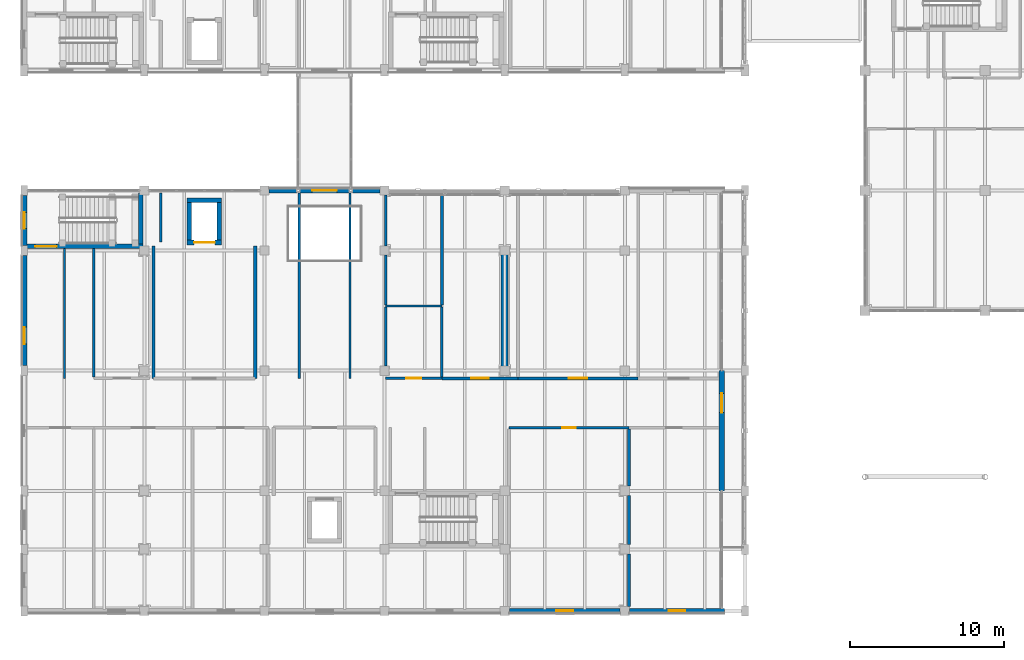
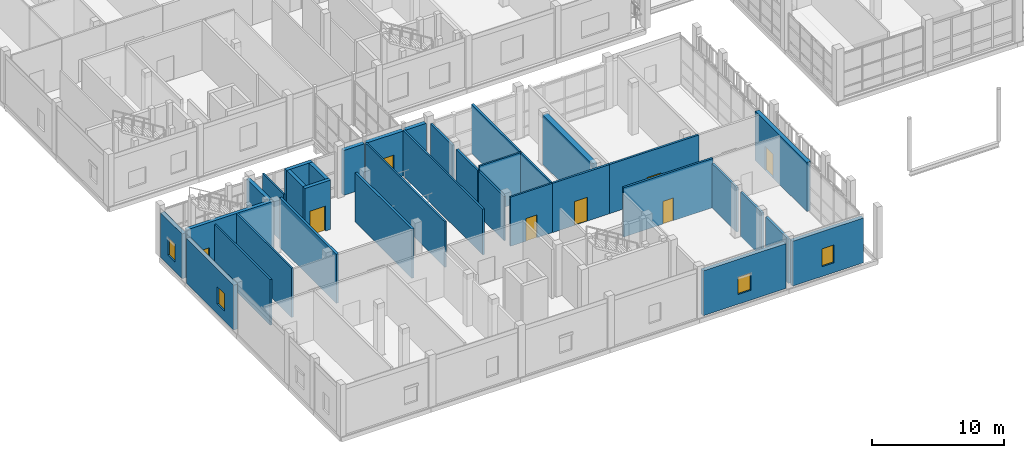
# One storey, part 101 of 138: 35 walls, 8 doors, 4 windows, 12 openings.
"""IFC4 building model written with IfcOpenShell, lengths in metres."""

from ifc_helpers import new_model, si_unit, direction, frame, frame_2d, origin, place, context, subcontext, project, spatial, rectangle, extrude, material, layer, layer_set, type_object, element, fill, save


model = new_model("IFC4")

# Units and contexts
model_context = context("Model", 3, precision=1e-05, world=origin(), true_north=direction((0.0, 1.0)))
body_context = subcontext(model_context, "Body", "Model", "MODEL_VIEW")
ifc_project = project(units=[si_unit("LENGTHUNIT", "METRE"), si_unit("AREAUNIT", "SQUARE_METRE"), si_unit("VOLUMEUNIT", "CUBIC_METRE"), si_unit("PLANEANGLEUNIT", "RADIAN"), si_unit("MASSUNIT", "GRAM", prefix="KILO")], contexts=[model_context])

# Site, building, storey
site_placement = place(None, origin())
site = spatial("IfcSite", under=ifc_project, at=site_placement, CompositionType="ELEMENT")
building_placement = place(site_placement, origin())
building = spatial("IfcBuilding", under=site, at=building_placement, Name="Celorna Specialist Clinic", CompositionType="ELEMENT")
storey_placement = place(building_placement, frame((0.0, 0.0, 4.800048828125)))
storey = spatial("IfcBuildingStorey", under=building, at=storey_placement, Name="L01", CompositionType="ELEMENT", Elevation=4.800048828125)

# Wall
ifc_material_1 = material(Name="Concrete C40/50", Category="concrete")
ifc_layer_1 = layer(ifc_material_1, 0.449951171875, Name="Concrete C40/50")
ifc_layer_set_1 = layer_set([ifc_layer_1], Name="Concrete C40/50")
wall_type_1 = type_object("IfcWallType", Name="WT-04", PredefinedType="SHEAR", material=ifc_layer_set_1)
wall_1_placement = place(storey_placement, frame((31.199951171875, 15.75, 0.0), z_axis=(0.0, 0.0, 1.0), x_axis=(0.0, 1.0, 0.0)))
element("IfcWall", 1, at=wall_1_placement, inside=storey, type_object=wall_type_1, Name="Structural RC shear wall WT-04 V5 L01", PredefinedType="SHEAR", context=body_context, shape_type="SweptSolid", body=[
    extrude(rectangle(XDim=7.5, YDim=0.449951171875, at=frame_2d((3.75, 0.0))), origin(), (0.0, 0.0, 1.0), 4.5400390625),
])

# Wall, opening, window
ifc_material_2 = material(Name="Pero Pinheiro Lioz limestone insulated masonry", Category="masonry")
ifc_layer_2 = layer(ifc_material_2, 0.340087890625, Name="Pero Pinheiro Lioz limestone insulated masonry")
ifc_layer_set_2 = layer_set([ifc_layer_2], Name="Pero Pinheiro Lioz limestone insulated masonry")
wall_type_2 = type_object("IfcWallType", Name="WT-07", PredefinedType="STANDARD", material=ifc_layer_set_2)
wall_2_placement = place(storey_placement, frame((38.699951171875, 0.0, 0.0), z_axis=(0.0, 0.0, 1.0), x_axis=(-1.0, 0.0, 0.0)))
wall_2 = element("IfcWall", 2, at=wall_2_placement, inside=storey, type_object=wall_type_2, Name="External facade wall WT-07 #324", PredefinedType="STANDARD", context=body_context, shape_type="SweptSolid", body=[
    extrude(rectangle(XDim=7.199951171875, YDim=0.340087890625, at=frame_2d((3.60009765625, 0.0))), origin(), (0.0, 0.0, 1.0), 4.139892578125),
])
opening_1_placement = place(wall_2_placement, frame((3.050048828125, 0.0, 0.89990234375)))
opening_1 = element("IfcOpeningElement", 3, at=opening_1_placement, cuts=wall_2, Name="Opening WN-03", PredefinedType="OPENING", context=body_context, shape_type="SweptSolid", body=[
    extrude(rectangle(XDim=1.10009765625, YDim=1.60009765625, at=frame_2d((0.550048828125, 0.800048828125))), frame((0.0, 0.179931640625, 0.0), z_axis=(0.0, -1.0, 0.0), x_axis=(1.0, 0.0, 0.0)), (0.0, 0.0, 1.0), 0.360107421875),
])
ifc_material_3 = material(Name="Thermally broken aluminium triple-glazed window", Category="aluminium")
window_type_1 = type_object("IfcWindowType", Name="WN-03", PartitioningType="SINGLE_PANEL", PredefinedType="WINDOW", material=ifc_material_3)
window_1_placement = place(opening_1_placement, origin())
window_1 = element("IfcWindow", 4, at=window_1_placement, inside=storey, type_object=window_type_1, Name="Facade window WN-03 #196", OverallHeight=1.60009765625, OverallWidth=1.10009765625, PartitioningType="SINGLE_PANEL", PredefinedType="WINDOW", context=body_context, shape_type="SweptSolid", body=[
    extrude(rectangle(XDim=1.10009765625, YDim=1.60009765625, at=frame_2d((0.550048828125, 0.800048828125))), frame((0.0, 0.030029296875, 0.0), z_axis=(0.0, -1.0, 0.0), x_axis=(1.0, 0.0, 0.0)), (0.0, 0.0, 1.0), 0.06005859375),
])
fill(opening_1, window_1)

wall_3_placement = place(storey_placement, frame((45.469970703125, 0.0, 0.0), z_axis=(0.0, 0.0, 1.0), x_axis=(-1.0, 0.0, 0.0)))
wall_3 = element("IfcWall", 5, at=wall_3_placement, inside=storey, type_object=wall_type_2, Name="External facade wall WT-07 #325", PredefinedType="STANDARD", context=body_context, shape_type="SweptSolid", body=[
    extrude(rectangle(XDim=6.169921875, YDim=0.340087890625, at=frame_2d((3.0849609375, 0.0))), origin(), (0.0, 0.0, 1.0), 4.139892578125),
])
opening_2_placement = place(wall_3_placement, frame((2.56005859375, 0.0, 0.89990234375)))
opening_2 = element("IfcOpeningElement", 6, at=opening_2_placement, cuts=wall_3, Name="Opening WN-21", PredefinedType="OPENING", context=body_context, shape_type="SweptSolid", body=[
    extrude(rectangle(XDim=1.050048828125, YDim=1.64990234375, at=frame_2d((0.52490234375, 0.824951171875))), frame((0.0, 0.179931640625, 0.0), z_axis=(0.0, -1.0, 0.0), x_axis=(1.0, 0.0, 0.0)), (0.0, 0.0, 1.0), 0.360107421875),
])
window_type_2 = type_object("IfcWindowType", Name="WN-21", PartitioningType="SINGLE_PANEL", PredefinedType="WINDOW", material=ifc_material_3)
window_2_placement = place(opening_2_placement, origin())
window_2 = element("IfcWindow", 7, at=window_2_placement, inside=storey, type_object=window_type_2, Name="Facade window WN-21 #197", OverallHeight=1.64990234375, OverallWidth=1.050048828125, PartitioningType="SINGLE_PANEL", PredefinedType="WINDOW", context=body_context, shape_type="SweptSolid", body=[
    extrude(rectangle(XDim=1.050048828125, YDim=1.64990234375, at=frame_2d((0.52490234375, 0.824951171875))), frame((0.0, 0.030029296875, 0.0), z_axis=(0.0, -1.0, 0.0), x_axis=(1.0, 0.0, 0.0)), (0.0, 0.0, 1.0), 0.06005859375),
])
fill(opening_2, window_2)

# Wall
wall_4_placement = place(storey_placement, frame((15.89990234375, 27.300048828125, 0.0), z_axis=(0.0, 0.0, 1.0), x_axis=(1.0, 0.0, 0.0)))
element("IfcWall", 8, at=wall_4_placement, inside=storey, type_object=wall_type_2, Name="External facade wall WT-07 #326", PredefinedType="STANDARD", context=body_context, shape_type="SweptSolid", body=[
    extrude(rectangle(XDim=1.800048828125, YDim=0.340087890625, at=frame_2d((0.89990234375, 0.0))), origin(), (0.0, 0.0, 1.0), 4.139892578125),
])

# Wall, opening, door
wall_5_placement = place(storey_placement, frame((17.89990234375, 27.300048828125, 0.0), z_axis=(0.0, 0.0, 1.0), x_axis=(1.0, 0.0, 0.0)))
wall_5 = element("IfcWall", 9, at=wall_5_placement, inside=storey, type_object=wall_type_2, Name="External facade wall WT-07 #327", PredefinedType="STANDARD", context=body_context, shape_type="SweptSolid", body=[
    extrude(rectangle(XDim=3.2001953125, YDim=0.340087890625, at=frame_2d((1.60009765625, 0.0))), origin(), (0.0, 0.0, 1.0), 4.139892578125),
])
opening_3_placement = place(wall_5_placement, frame((0.800048828125, 0.0, 0.0)))
opening_3 = element("IfcOpeningElement", 10, at=opening_3_placement, cuts=wall_5, Name="Opening DR-12", PredefinedType="OPENING", context=body_context, shape_type="SweptSolid", body=[
    extrude(rectangle(XDim=1.60009765625, YDim=2.199951171875, at=frame_2d((0.800048828125, 1.10009765625))), frame((0.0, 0.179931640625, 0.0), z_axis=(0.0, -1.0, 0.0), x_axis=(1.0, 0.0, 0.0)), (0.0, 0.0, 1.0), 0.360107421875),
])
ifc_material_4 = material(Name="Corridor cross-compartment pair door")
door_type_1 = type_object("IfcDoorType", Name="DR-12", OperationType="DOUBLE_DOOR_SINGLE_SWING", PredefinedType="DOOR", material=ifc_material_4)
door_1_placement = place(opening_3_placement, origin())
door_1 = element("IfcDoor", 11, at=door_1_placement, inside=storey, type_object=door_type_1, Name="Bridge BR-01 south/west portal door L01", OperationType="DOUBLE_DOOR_SINGLE_SWING", OverallHeight=2.199951171875, OverallWidth=1.60009765625, PredefinedType="DOOR", context=body_context, shape_type="SweptSolid", body=[
    extrude(rectangle(XDim=1.60009765625, YDim=2.199951171875, at=frame_2d((0.800048828125, 1.10009765625))), frame((0.0, 0.02490234375, 0.0), z_axis=(0.0, -1.0, 0.0), x_axis=(1.0, 0.0, 0.0)), (0.0, 0.0, 1.0), 0.050048828125),
])
fill(opening_3, door_1)

# Wall
wall_6_placement = place(storey_placement, frame((21.300048828125, 27.300048828125, 0.0), z_axis=(0.0, 0.0, 1.0), x_axis=(1.0, 0.0, 0.0)))
element("IfcWall", 12, at=wall_6_placement, inside=storey, type_object=wall_type_2, Name="External facade wall WT-07 #328", PredefinedType="STANDARD", context=body_context, shape_type="SweptSolid", body=[
    extrude(rectangle(XDim=1.800048828125, YDim=0.340087890625, at=frame_2d((0.89990234375, 0.0))), origin(), (0.0, 0.0, 1.0), 4.139892578125),
])

# Wall, opening, window
wall_7_placement = place(storey_placement, frame((0.0, 15.925048828125, 0.0), z_axis=(0.0, 0.0, 1.0), x_axis=(0.0, 1.0, 0.0)))
wall_7 = element("IfcWall", 13, at=wall_7_placement, inside=storey, type_object=wall_type_2, Name="External facade wall WT-07 #333", PredefinedType="STANDARD", context=body_context, shape_type="SweptSolid", body=[
    extrude(rectangle(XDim=7.14990234375, YDim=0.340087890625, at=frame_2d((3.574951171875, 0.0))), origin(), (0.0, 0.0, 1.0), 4.139892578125),
])
opening_4_placement = place(wall_7_placement, frame((1.3974609375, 0.0, 0.89990234375)))
opening_4 = element("IfcOpeningElement", 14, at=opening_4_placement, cuts=wall_7, Name="Opening WN-03", PredefinedType="OPENING", context=body_context, shape_type="SweptSolid", body=[
    extrude(rectangle(XDim=1.10009765625, YDim=1.60009765625, at=frame_2d((0.550048828125, 0.800048828125))), frame((0.0, 0.179931640625, 0.0), z_axis=(0.0, -1.0, 0.0), x_axis=(1.0, 0.0, 0.0)), (0.0, 0.0, 1.0), 0.360107421875),
])
window_3_placement = place(opening_4_placement, origin())
window_3 = element("IfcWindow", 15, at=window_3_placement, inside=storey, type_object=window_type_1, Name="Facade window WN-03 #201", OverallHeight=1.60009765625, OverallWidth=1.10009765625, PartitioningType="SINGLE_PANEL", PredefinedType="WINDOW", context=body_context, shape_type="SweptSolid", body=[
    extrude(rectangle(XDim=1.10009765625, YDim=1.60009765625, at=frame_2d((0.550048828125, 0.800048828125))), frame((0.0, 0.030029296875, 0.0), z_axis=(0.0, -1.0, 0.0), x_axis=(1.0, 0.0, 0.0)), (0.0, 0.0, 1.0), 0.06005859375),
])
fill(opening_4, window_3)

wall_8_placement = place(storey_placement, frame((0.0, 23.72509765625, 0.0), z_axis=(0.0, 0.0, 1.0), x_axis=(0.0, 1.0, 0.0)))
wall_8 = element("IfcWall", 16, at=wall_8_placement, inside=storey, type_object=wall_type_2, Name="External facade wall WT-07 #334", PredefinedType="STANDARD", context=body_context, shape_type="SweptSolid", body=[
    extrude(rectangle(XDim=3.25, YDim=0.340087890625, at=frame_2d((1.625, 0.0))), origin(), (0.0, 0.0, 1.0), 4.139892578125),
])
opening_5_placement = place(wall_8_placement, frame((1.10009765625, 0.0, 0.89990234375)))
opening_5 = element("IfcOpeningElement", 17, at=opening_5_placement, cuts=wall_8, Name="Opening WN-21", PredefinedType="OPENING", context=body_context, shape_type="SweptSolid", body=[
    extrude(rectangle(XDim=1.050048828125, YDim=1.64990234375, at=frame_2d((0.52490234375, 0.824951171875))), frame((0.0, 0.179931640625, 0.0), z_axis=(0.0, -1.0, 0.0), x_axis=(1.0, 0.0, 0.0)), (0.0, 0.0, 1.0), 0.360107421875),
])
window_4_placement = place(opening_5_placement, origin())
window_4 = element("IfcWindow", 18, at=window_4_placement, inside=storey, type_object=window_type_2, Name="Facade window WN-21 #202", OverallHeight=1.64990234375, OverallWidth=1.050048828125, PartitioningType="SINGLE_PANEL", PredefinedType="WINDOW", context=body_context, shape_type="SweptSolid", body=[
    extrude(rectangle(XDim=1.050048828125, YDim=1.64990234375, at=frame_2d((0.52490234375, 0.824951171875))), frame((0.0, 0.030029296875, 0.0), z_axis=(0.0, -1.0, 0.0), x_axis=(1.0, 0.0, 0.0)), (0.0, 0.0, 1.0), 0.06005859375),
])
fill(opening_5, window_4)

# Wall, opening, door
wall_9_placement = place(storey_placement, frame((45.300048828125, 15.60009765625, 0.0), z_axis=(0.0, 0.0, 1.0), x_axis=(0.0, -1.0, 0.0)))
wall_9 = element("IfcWall", 19, at=wall_9_placement, inside=storey, type_object=wall_type_2, Name="External facade wall WT-07 #335", PredefinedType="STANDARD", context=body_context, shape_type="SweptSolid", body=[
    extrude(rectangle(XDim=7.800048828125, YDim=0.340087890625, at=frame_2d((3.89990234375, 0.0))), origin(), (0.0, 0.0, 1.0), 4.5400390625),
])
opening_6_placement = place(wall_9_placement, frame((1.47509765625, 0.0, 0.0)))
opening_6 = element("IfcOpeningElement", 20, at=opening_6_placement, cuts=wall_9, Name="Opening DR-13", PredefinedType="OPENING", context=body_context, shape_type="SweptSolid", body=[
    extrude(rectangle(XDim=1.25, YDim=2.199951171875, at=frame_2d((0.625, 1.10009765625))), frame((0.0, 0.179931640625, 0.0), z_axis=(0.0, -1.0, 0.0), x_axis=(1.0, 0.0, 0.0)), (0.0, 0.0, 1.0), 0.360107421875),
])
ifc_material_5 = material(Name="Thermally broken glazed terrace door")
door_type_2 = type_object("IfcDoorType", Name="DR-13", OperationType="NOTDEFINED", PredefinedType="DOOR", material=ifc_material_5)
door_2_placement = place(opening_6_placement, frame((1.25, 0.0, 0.0), z_axis=(0.0, 0.0, 1.0), x_axis=(-1.0, 0.0, 0.0)))
door_2 = element("IfcDoor", 21, at=door_2_placement, inside=storey, type_object=door_type_2, Name="Terrace access door TER-V5-VER-L01", OperationType="SINGLE_SWING_RIGHT", OverallHeight=2.199951171875, OverallWidth=1.25, PredefinedType="DOOR", context=body_context, shape_type="SweptSolid", body=[
    extrude(rectangle(XDim=1.25, YDim=2.199951171875, at=frame_2d((0.625, 1.10009765625))), frame((0.0, 0.02490234375, 0.0), z_axis=(0.0, -1.0, 0.0), x_axis=(1.0, 0.0, 0.0)), (0.0, 0.0, 1.0), 0.050048828125),
])
fill(opening_6, door_2)

ifc_material_6 = material(Name="Concrete C35/45", Category="concrete")
ifc_layer_3 = layer(ifc_material_6, 0.300048828125, Name="Concrete C35/45")
ifc_layer_set_3 = layer_set([ifc_layer_3], Name="Concrete C35/45")
wall_type_3 = type_object("IfcWallType", Name="WT-08", PredefinedType="SHEAR", material=ifc_layer_set_3)
wall_10_placement = place(storey_placement, frame((0.14990234375, 23.669921875, 0.0), z_axis=(0.0, 0.0, 1.0), x_axis=(1.0, 0.0, 0.0)))
wall_10 = element("IfcWall", 22, at=wall_10_placement, inside=storey, type_object=wall_type_3, Name="Stair ST-04 RC core wall L01 south", PredefinedType="SHEAR", context=body_context, shape_type="SweptSolid", body=[
    extrude(rectangle(XDim=7.56005859375, YDim=0.300048828125, at=frame_2d((3.780029296875, 0.0))), origin(), (0.0, 0.0, 1.0), 4.5400390625),
])
opening_7_placement = place(wall_10_placement, frame((0.56005859375, 0.0, 0.0)))
opening_7 = element("IfcOpeningElement", 23, at=opening_7_placement, cuts=wall_10, Name="Opening DR-10", PredefinedType="OPENING", context=body_context, shape_type="SweptSolid", body=[
    extrude(rectangle(XDim=1.39990234375, YDim=2.199951171875, at=frame_2d((0.699951171875, 1.10009765625))), frame((0.0, 0.159912109375, 0.0), z_axis=(0.0, -1.0, 0.0), x_axis=(1.0, 0.0, 0.0)), (0.0, 0.0, 1.0), 0.320068359375),
])
ifc_material_7 = material(Name="Protected exit stair fire door")
door_type_3 = type_object("IfcDoorType", Name="DR-10", OperationType="NOTDEFINED", PredefinedType="DOOR", material=ifc_material_7)
door_3_placement = place(opening_7_placement, origin())
door_3 = element("IfcDoor", 24, at=door_3_placement, inside=storey, type_object=door_type_3, Name="Protected exit stair door ST-04 L01", OperationType="SINGLE_SWING_RIGHT", OverallHeight=2.199951171875, OverallWidth=1.39990234375, PredefinedType="DOOR", context=body_context, shape_type="SweptSolid", body=[
    extrude(rectangle(XDim=1.39990234375, YDim=2.199951171875, at=frame_2d((0.699951171875, 1.10009765625))), frame((0.0, 0.02490234375, 0.0), z_axis=(0.0, -1.0, 0.0), x_axis=(1.0, 0.0, 0.0)), (0.0, 0.0, 1.0), 0.050048828125),
])
fill(opening_7, door_3)

# Wall
wall_11_placement = place(storey_placement, frame((7.56005859375, 23.820068359375, 0.0), z_axis=(0.0, 0.0, 1.0), x_axis=(0.0, 1.0, 0.0)))
element("IfcWall", 25, at=wall_11_placement, inside=storey, type_object=wall_type_3, Name="Stair ST-04 RC core wall L01 east", PredefinedType="SHEAR", context=body_context, shape_type="SweptSolid", body=[
    extrude(rectangle(XDim=3.329833984375, YDim=0.300048828125, at=frame_2d((1.6650390625, 0.0))), origin(), (0.0, 0.0, 1.0), 4.5400390625),
])

# Wall, opening, door
wall_12_placement = place(storey_placement, frame((10.574951171875, 23.925048828125, 0.0), z_axis=(0.0, 0.0, 1.0), x_axis=(1.0, 0.0, 0.0)))
wall_12 = element("IfcWall", 26, at=wall_12_placement, inside=storey, type_object=wall_type_3, Name="Lift LF-04 RC shaft wall L01", PredefinedType="SHEAR", context=body_context, shape_type="SweptSolid", body=[
    extrude(rectangle(XDim=2.25, YDim=0.300048828125, at=frame_2d((1.125, 0.0))), origin(), (0.0, 0.0, 1.0), 4.5400390625),
])
opening_8_placement = place(wall_12_placement, frame((0.449951171875, 0.0, 0.0)))
opening_8 = element("IfcOpeningElement", 27, at=opening_8_placement, cuts=wall_12, Name="Opening LD-02", PredefinedType="OPENING", context=body_context, shape_type="SweptSolid", body=[
    extrude(rectangle(XDim=1.35009765625, YDim=2.300048828125, at=frame_2d((0.675048828125, 1.14990234375))), frame((0.0, 0.159912109375, 0.0), z_axis=(0.0, -1.0, 0.0), x_axis=(1.0, 0.0, 0.0)), (0.0, 0.0, 1.0), 0.320068359375),
])
ifc_material_8 = material(Name="Firefighting stretcher lift landing sliding door")
door_type_4 = type_object("IfcDoorType", Name="LD-02", OperationType="DOUBLE_DOOR_SLIDING", PredefinedType="DOOR", material=ifc_material_8)
door_4_placement = place(opening_8_placement, origin())
door_4 = element("IfcDoor", 28, at=door_4_placement, inside=storey, type_object=door_type_4, Name="Lift LF-04 sliding landing door L01", OperationType="DOUBLE_DOOR_SLIDING", OverallHeight=2.300048828125, OverallWidth=1.35009765625, PredefinedType="DOOR", context=body_context, shape_type="SweptSolid", body=[
    extrude(rectangle(XDim=1.35009765625, YDim=2.300048828125, at=frame_2d((0.675048828125, 1.14990234375))), frame((0.0, 0.02490234375, 0.0), z_axis=(0.0, -1.0, 0.0), x_axis=(1.0, 0.0, 0.0)), (0.0, 0.0, 1.0), 0.050048828125),
])
fill(opening_8, door_4)

# Walls
wall_13_placement = place(storey_placement, frame((12.824951171875, 26.675048828125, 0.0), z_axis=(0.0, 0.0, 1.0), x_axis=(-1.0, 0.0, 0.0)))
element("IfcWall", 29, at=wall_13_placement, inside=storey, type_object=wall_type_3, Name="Lift LF-04 RC shaft wall L01", PredefinedType="SHEAR", context=body_context, shape_type="SweptSolid", body=[
    extrude(rectangle(XDim=2.25, YDim=0.300048828125, at=frame_2d((1.125, 0.0))), origin(), (0.0, 0.0, 1.0), 4.5400390625),
])
for number, where, z_axis, x_axis, name in (
    (30, (10.72509765625, 26.52490234375, 0.0), (0.0, 0.0, 1.0), (0.0, -1.0, 0.0), "Lift LF-04 RC shaft wall L01"),
    (31, (12.675048828125, 24.074951171875, 0.0), (0.0, 0.0, 1.0), (0.0, 1.0, 0.0), "Lift LF-04 RC shaft wall L01"),
):
    element("IfcWall", number, at=place(storey_placement, frame(where, z_axis=z_axis, x_axis=x_axis)), inside=storey, type_object=wall_type_3, Name=name, PredefinedType="SHEAR", context=body_context, shape_type="SweptSolid", body=[
        extrude(rectangle(XDim=2.449951171875, YDim=0.300048828125, at=frame_2d((1.22509765625, 0.0))), origin(), (0.0, 0.0, 1.0), 4.5400390625),
    ])
ifc_layer_4 = layer(ifc_material_6, 0.199951171875, Name="Concrete C35/45")
ifc_layer_set_4 = layer_set([ifc_layer_4], Name="Concrete C35/45")
wall_type_4 = type_object("IfcWallType", Name="WT-12", PredefinedType="SOLIDWALL", material=ifc_layer_set_4)
for number, where, z_axis, x_axis, name in (
    (32, (8.39990234375, 23.699951171875, 0.0), (0.0, 0.0, 1.0), (0.0, -1.0, 0.0), "Firefighting lobby wall LF-04 L01"),
    (33, (15.0, 15.10009765625, 0.0), (0.0, 0.0, 1.0), (0.0, 1.0, 0.0), "Firefighting lobby wall LF-04 L01"),
):
    element("IfcWall", number, at=place(storey_placement, frame(where, z_axis=z_axis, x_axis=x_axis)), inside=storey, type_object=wall_type_4, Name=name, PredefinedType="SOLIDWALL", context=body_context, shape_type="SweptSolid", body=[
        extrude(rectangle(XDim=8.599853515625, YDim=0.199951171875, at=frame_2d((4.2998046875, 0.0))), origin(), (0.0, 0.0, 1.0), 4.5400390625),
    ])

# Wall, opening, door
ifc_material_9 = material(Name="Acoustic masonry clinical partition", Category="masonry")
ifc_layer_5 = layer(ifc_material_9, 0.179931640625, Name="Acoustic masonry clinical partition")
ifc_layer_set_5 = layer_set([ifc_layer_5], Name="Acoustic masonry clinical partition")
wall_type_5 = type_object("IfcWallType", Name="WT-13", PredefinedType="PARTITIONING", material=ifc_layer_set_5)
wall_14_placement = place(storey_placement, frame((39.27001953125, 11.89990234375, 0.0), z_axis=(0.0, 0.0, 1.0), x_axis=(-1.0, 0.0, 0.0)))
wall_14 = element("IfcWall", 34, at=wall_14_placement, inside=storey, type_object=wall_type_5, Name="Interior partition WT-13 L01-097", PredefinedType="PARTITIONING", context=body_context, shape_type="SweptSolid", body=[
    extrude(rectangle(XDim=7.800048828125, YDim=0.179931640625, at=frame_2d((3.89990234375, 0.0))), origin(), (0.0, 0.0, 1.0), 4.5400390625),
])
opening_9_placement = place(wall_14_placement, frame((3.449951171875, 0.0, 0.0)))
opening_9 = element("IfcOpeningElement", 35, at=opening_9_placement, cuts=wall_14, Name="Opening DR-02", PredefinedType="OPENING", context=body_context, shape_type="SweptSolid", body=[
    extrude(rectangle(XDim=0.89990234375, YDim=2.10009765625, at=frame_2d((0.449951171875, 1.050048828125))), frame((0.0, 0.099853515625, 0.0), z_axis=(0.0, -1.0, 0.0), x_axis=(1.0, 0.0, 0.0)), (0.0, 0.0, 1.0), 0.199951171875),
])
ifc_material_10 = material(Name="Timber acoustic clinical door", Category="wood")
door_type_5 = type_object("IfcDoorType", Name="DR-02", OperationType="NOTDEFINED", PredefinedType="DOOR", material=ifc_material_10)
door_5_placement = place(opening_9_placement, origin())
door_5 = element("IfcDoor", 36, at=door_5_placement, inside=storey, type_object=door_type_5, Name="Haematology and Biochemistry Laboratory door L01-097", OperationType="SINGLE_SWING_RIGHT", OverallHeight=2.10009765625, OverallWidth=0.89990234375, PredefinedType="DOOR", context=body_context, shape_type="SweptSolid", body=[
    extrude(rectangle(XDim=0.89990234375, YDim=2.10009765625, at=frame_2d((0.449951171875, 1.050048828125))), frame((0.0, 0.02490234375, 0.0), z_axis=(0.0, -1.0, 0.0), x_axis=(1.0, 0.0, 0.0)), (0.0, 0.0, 1.0), 0.050048828125),
])
fill(opening_9, door_5)

wall_15_placement = place(storey_placement, frame((27.1201171875, 15.10009765625, 0.0), z_axis=(0.0, 0.0, 1.0), x_axis=(1.0, 0.0, 0.0)))
wall_15 = element("IfcWall", 37, at=wall_15_placement, inside=storey, type_object=wall_type_5, Name="Interior partition WT-13 L01-101", PredefinedType="PARTITIONING", context=body_context, shape_type="SweptSolid", body=[
    extrude(rectangle(XDim=4.949951171875, YDim=0.179931640625, at=frame_2d((2.47509765625, 0.0))), origin(), (0.0, 0.0, 1.0), 4.5400390625),
])
opening_10_placement = place(wall_15_placement, frame((1.89990234375, 0.0, 0.0)))
opening_10 = element("IfcOpeningElement", 38, at=opening_10_placement, cuts=wall_15, Name="Opening DR-07", PredefinedType="OPENING", context=body_context, shape_type="SweptSolid", body=[
    extrude(rectangle(XDim=1.14990234375, YDim=2.199951171875, at=frame_2d((0.574951171875, 1.10009765625))), frame((0.0, 0.099853515625, 0.0), z_axis=(0.0, -1.0, 0.0), x_axis=(1.0, 0.0, 0.0)), (0.0, 0.0, 1.0), 0.199951171875),
])
ifc_material_11 = material(Name="Hermetic cleanroom airlock door")
door_type_6 = type_object("IfcDoorType", Name="DR-07", OperationType="NOTDEFINED", PredefinedType="DOOR", material=ifc_material_11)
door_6_placement = place(opening_10_placement, origin())
door_6 = element("IfcDoor", 39, at=door_6_placement, inside=storey, type_object=door_type_6, Name="Cleanroom Gowning Airlock door L01-101", OperationType="SINGLE_SWING_RIGHT", OverallHeight=2.199951171875, OverallWidth=1.14990234375, PredefinedType="DOOR", context=body_context, shape_type="SweptSolid", body=[
    extrude(rectangle(XDim=1.14990234375, YDim=2.199951171875, at=frame_2d((0.574951171875, 1.10009765625))), frame((0.0, 0.02490234375, 0.0), z_axis=(0.0, -1.0, 0.0), x_axis=(1.0, 0.0, 0.0)), (0.0, 0.0, 1.0), 0.050048828125),
])
fill(opening_10, door_6)

wall_16_placement = place(storey_placement, frame((32.070068359375, 15.10009765625, 0.0), z_axis=(0.0, 0.0, 1.0), x_axis=(1.0, 0.0, 0.0)))
wall_16 = element("IfcWall", 40, at=wall_16_placement, inside=storey, type_object=wall_type_5, Name="Interior partition WT-13 L01-102", PredefinedType="PARTITIONING", context=body_context, shape_type="SweptSolid", body=[
    extrude(rectangle(XDim=7.800048828125, YDim=0.179931640625, at=frame_2d((3.89990234375, 0.0))), origin(), (0.0, 0.0, 1.0), 4.5400390625),
])
opening_11_placement = place(wall_16_placement, frame((3.300048828125, 0.0, 0.0)))
opening_11 = element("IfcOpeningElement", 41, at=opening_11_placement, cuts=wall_16, Name="Opening DR-08", PredefinedType="OPENING", context=body_context, shape_type="SweptSolid", body=[
    extrude(rectangle(XDim=1.199951171875, YDim=2.199951171875, at=frame_2d((0.60009765625, 1.10009765625))), frame((0.0, 0.099853515625, 0.0), z_axis=(0.0, -1.0, 0.0), x_axis=(1.0, 0.0, 0.0)), (0.0, 0.0, 1.0), 0.199951171875),
])
ifc_material_12 = material(Name="Stretcher-width clinical door")
door_type_7 = type_object("IfcDoorType", Name="DR-08", OperationType="NOTDEFINED", PredefinedType="DOOR", material=ifc_material_12)
door_7_placement = place(opening_11_placement, origin())
door_7 = element("IfcDoor", 42, at=door_7_placement, inside=storey, type_object=door_type_7, Name="Cytotoxic Cleanroom Pharmacy door L01-102", OperationType="SINGLE_SWING_LEFT", OverallHeight=2.199951171875, OverallWidth=1.199951171875, PredefinedType="DOOR", context=body_context, shape_type="SweptSolid", body=[
    extrude(rectangle(XDim=1.199951171875, YDim=2.199951171875, at=frame_2d((0.60009765625, 1.10009765625))), frame((0.0, 0.02490234375, 0.0), z_axis=(0.0, -1.0, 0.0), x_axis=(1.0, 0.0, 0.0)), (0.0, 0.0, 1.0), 0.050048828125),
])
fill(opening_11, door_7)

# Walls
wall_17_placement = place(storey_placement, frame((39.27001953125, 0.300048828125, 0.0), z_axis=(0.0, 0.0, 1.0), x_axis=(0.0, 1.0, 0.0)))
element("IfcWall", 43, at=wall_17_placement, inside=storey, type_object=wall_type_5, Name="Room dividing partition WT-13 L01-097", PredefinedType="PARTITIONING", context=body_context, shape_type="SweptSolid", body=[
    extrude(rectangle(XDim=3.39990234375, YDim=0.179931640625, at=frame_2d((1.699951171875, 0.0))), origin(), (0.0, 0.0, 1.0), 4.08984375),
])
wall_18_placement = place(storey_placement, frame((39.27001953125, 4.300048828125, 0.0), z_axis=(0.0, 0.0, 1.0), x_axis=(0.0, 1.0, 0.0)))
element("IfcWall", 44, at=wall_18_placement, inside=storey, type_object=wall_type_5, Name="Room dividing partition WT-13 L01-097", PredefinedType="PARTITIONING", context=body_context, shape_type="SweptSolid", body=[
    extrude(rectangle(XDim=3.199951171875, YDim=0.179931640625, at=frame_2d((1.60009765625, 0.0))), origin(), (0.0, 0.0, 1.0), 4.08984375),
])
wall_19_placement = place(storey_placement, frame((39.27001953125, 8.10009765625, 0.0), z_axis=(0.0, 0.0, 1.0), x_axis=(0.0, 1.0, 0.0)))
element("IfcWall", 45, at=wall_19_placement, inside=storey, type_object=wall_type_5, Name="Room dividing partition WT-13 L01-097", PredefinedType="PARTITIONING", context=body_context, shape_type="SweptSolid", body=[
    extrude(rectangle(XDim=3.7099609375, YDim=0.179931640625, at=frame_2d((1.85498046875, 0.0))), origin(), (0.0, 0.0, 1.0), 4.08984375),
])
wall_20_placement = place(storey_placement, frame((27.1201171875, 19.875, 0.0), z_axis=(0.0, 0.0, 1.0), x_axis=(0.0, 1.0, 0.0)))
element("IfcWall", 46, at=wall_20_placement, inside=storey, type_object=wall_type_5, Name="Room dividing partition WT-13 L01-101", PredefinedType="PARTITIONING", context=body_context, shape_type="SweptSolid", body=[
    extrude(rectangle(XDim=7.2548828125, YDim=0.179931640625, at=frame_2d((3.62744140625, 0.0))), origin(), (0.0, 0.0, 1.0), 4.5400390625),
])
wall_21_placement = place(storey_placement, frame((23.469970703125, 19.875, 0.0), z_axis=(0.0, 0.0, 1.0), x_axis=(0.0, 1.0, 0.0)))
element("IfcWall", 47, at=wall_21_placement, inside=storey, type_object=wall_type_5, Name="Room dividing partition WT-13 L01-101", PredefinedType="PARTITIONING", context=body_context, shape_type="SweptSolid", body=[
    extrude(rectangle(XDim=3.22509765625, YDim=0.179931640625, at=frame_2d((1.612548828125, 0.0))), origin(), (0.0, 0.0, 1.0), 4.08984375),
])
wall_22_placement = place(storey_placement, frame((23.469970703125, 23.699951171875, 0.0), z_axis=(0.0, 0.0, 1.0), x_axis=(0.0, 1.0, 0.0)))
element("IfcWall", 48, at=wall_22_placement, inside=storey, type_object=wall_type_5, Name="Room dividing partition WT-13 L01-101", PredefinedType="PARTITIONING", context=body_context, shape_type="SweptSolid", body=[
    extrude(rectangle(XDim=3.300048828125, YDim=0.179931640625, at=frame_2d((1.64990234375, 0.0))), origin(), (0.0, 0.0, 1.0), 4.08984375),
])
ifc_material_13 = material(Name="Fire-rated gypsum board partition")
ifc_layer_6 = layer(ifc_material_13, 0.14990234375, Name="Fire-rated gypsum board partition")
ifc_layer_set_6 = layer_set([ifc_layer_6], Name="Fire-rated gypsum board partition")
wall_type_6 = type_object("IfcWallType", Name="WT-14", PredefinedType="PARTITIONING", material=ifc_layer_set_6)
wall_23_placement = place(storey_placement, frame((2.610107421875, 15.10009765625, 0.0), z_axis=(0.0, 0.0, 1.0), x_axis=(0.0, 1.0, 0.0)))
element("IfcWall", 49, at=wall_23_placement, inside=storey, type_object=wall_type_6, Name="Corridor spur partition WT-14", PredefinedType="PARTITIONING", context=body_context, shape_type="SweptSolid", body=[
    extrude(rectangle(XDim=8.419921875, YDim=0.14990234375, at=frame_2d((4.2099609375, 0.0))), origin(), (0.0, 0.0, 1.0), 4.2099609375),
])
for number, where, z_axis, x_axis, name in (
    (50, (17.85009765625, 15.10009765625, 0.0), (0.0, 0.0, 1.0), (0.0, 1.0, 0.0), "Corridor spur partition WT-14"),
    (51, (21.14990234375, 15.10009765625, 0.0), (0.0, 0.0, 1.0), (0.0, 1.0, 0.0), "Corridor spur partition WT-14"),
):
    element("IfcWall", number, at=place(storey_placement, frame(where, z_axis=z_axis, x_axis=x_axis)), inside=storey, type_object=wall_type_6, Name=name, PredefinedType="PARTITIONING", context=body_context, shape_type="SweptSolid", body=[
        extrude(rectangle(XDim=12.02978515625, YDim=0.14990234375, at=frame_2d((6.014892578125, 0.0))), origin(), (0.0, 0.0, 1.0), 4.2099609375),
    ])

# Wall, opening, door
wall_24_placement = place(storey_placement, frame((23.469970703125, 15.10009765625, 0.0), z_axis=(0.0, 0.0, 1.0), x_axis=(1.0, 0.0, 0.0)))
wall_24 = element("IfcWall", 52, at=wall_24_placement, inside=storey, type_object=wall_type_6, Name="Interior partition WT-14 L01-100", PredefinedType="PARTITIONING", context=body_context, shape_type="SweptSolid", body=[
    extrude(rectangle(XDim=3.650146484375, YDim=0.14990234375, at=frame_2d((1.8251953125, 0.0))), origin(), (0.0, 0.0, 1.0), 4.5400390625),
])
opening_12_placement = place(wall_24_placement, frame((1.35009765625, 0.0, 0.0)))
opening_12 = element("IfcOpeningElement", 53, at=opening_12_placement, cuts=wall_24, Name="Opening DR-03", PredefinedType="OPENING", context=body_context, shape_type="SweptSolid", body=[
    extrude(rectangle(XDim=0.949951171875, YDim=2.10009765625, at=frame_2d((0.47509765625, 1.050048828125))), frame((0.0, 0.0849609375, 0.0), z_axis=(0.0, -1.0, 0.0), x_axis=(1.0, 0.0, 0.0)), (0.0, 0.0, 1.0), 0.169921875),
])
ifc_material_14 = material(Name="Moisture-resistant accessible WC door")
door_type_8 = type_object("IfcDoorType", Name="DR-03", OperationType="NOTDEFINED", PredefinedType="DOOR", material=ifc_material_14)
door_8_placement = place(opening_12_placement, origin())
door_8 = element("IfcDoor", 54, at=door_8_placement, inside=storey, type_object=door_type_8, Name="Accessible WC door L01-100", OperationType="SINGLE_SWING_LEFT", OverallHeight=2.10009765625, OverallWidth=0.949951171875, PredefinedType="DOOR", context=body_context, shape_type="SweptSolid", body=[
    extrude(rectangle(XDim=0.949951171875, YDim=2.10009765625, at=frame_2d((0.47509765625, 1.050048828125))), frame((0.0, 0.02490234375, 0.0), z_axis=(0.0, -1.0, 0.0), x_axis=(1.0, 0.0, 0.0)), (0.0, 0.0, 1.0), 0.050048828125),
])
fill(opening_12, door_8)

# Walls
wall_25_placement = place(storey_placement, frame((23.469970703125, 19.800048828125, 0.0), z_axis=(0.0, 0.0, 1.0), x_axis=(1.0, 0.0, 0.0)))
element("IfcWall", 55, at=wall_25_placement, inside=storey, type_object=wall_type_6, Name="Sanitary suite rear partition L01-100", PredefinedType="PARTITIONING", context=body_context, shape_type="SweptSolid", body=[
    extrude(rectangle(XDim=3.650146484375, YDim=0.14990234375, at=frame_2d((1.8251953125, 0.0))), origin(), (0.0, 0.0, 1.0), 4.5400390625),
])
wall_26_placement = place(storey_placement, frame((4.52001953125, 15.175048828125, 0.0), z_axis=(0.0, 0.0, 1.0), x_axis=(0.0, 1.0, 0.0)))
element("IfcWall", 56, at=wall_26_placement, inside=storey, type_object=wall_type_6, Name="Room dividing partition WT-14 L01-099", PredefinedType="PARTITIONING", context=body_context, shape_type="SweptSolid", body=[
    extrude(rectangle(XDim=8.344970703125, YDim=0.14990234375, at=frame_2d((4.17236328125, 0.0))), origin(), (0.0, 0.0, 1.0), 4.5400390625),
])
wall_27_placement = place(storey_placement, frame((8.8701171875, 23.949951171875, 0.0), z_axis=(0.0, 0.0, 1.0), x_axis=(0.0, 1.0, 0.0)))
element("IfcWall", 57, at=wall_27_placement, inside=storey, type_object=wall_type_6, Name="Room dividing partition WT-14 L01-099", PredefinedType="PARTITIONING", context=body_context, shape_type="SweptSolid", body=[
    extrude(rectangle(XDim=3.179931640625, YDim=0.14990234375, at=frame_2d((1.58984375, 0.0))), origin(), (0.0, 0.0, 1.0), 4.5400390625),
])
wall_28_placement = place(storey_placement, frame((23.469970703125, 15.89990234375, 0.0), z_axis=(0.0, 0.0, 1.0), x_axis=(0.0, 1.0, 0.0)))
element("IfcWall", 58, at=wall_28_placement, inside=storey, type_object=wall_type_6, Name="Room dividing partition WT-14 L01-100", PredefinedType="PARTITIONING", context=body_context, shape_type="SweptSolid", body=[
    extrude(rectangle(XDim=3.8251953125, YDim=0.14990234375, at=frame_2d((1.91259765625, 0.0))), origin(), (0.0, 0.0, 1.0), 4.08984375),
])
wall_29_placement = place(storey_placement, frame((27.1201171875, 15.18994140625, 0.0), z_axis=(0.0, 0.0, 1.0), x_axis=(0.0, 1.0, 0.0)))
element("IfcWall", 59, at=wall_29_placement, inside=storey, type_object=wall_type_6, Name="Room dividing partition WT-14 L01-100", PredefinedType="PARTITIONING", context=body_context, shape_type="SweptSolid", body=[
    extrude(rectangle(XDim=4.53515625, YDim=0.14990234375, at=frame_2d((2.267578125, 0.0))), origin(), (0.0, 0.0, 1.0), 4.5400390625),
])

save(model, "model.ifc")
